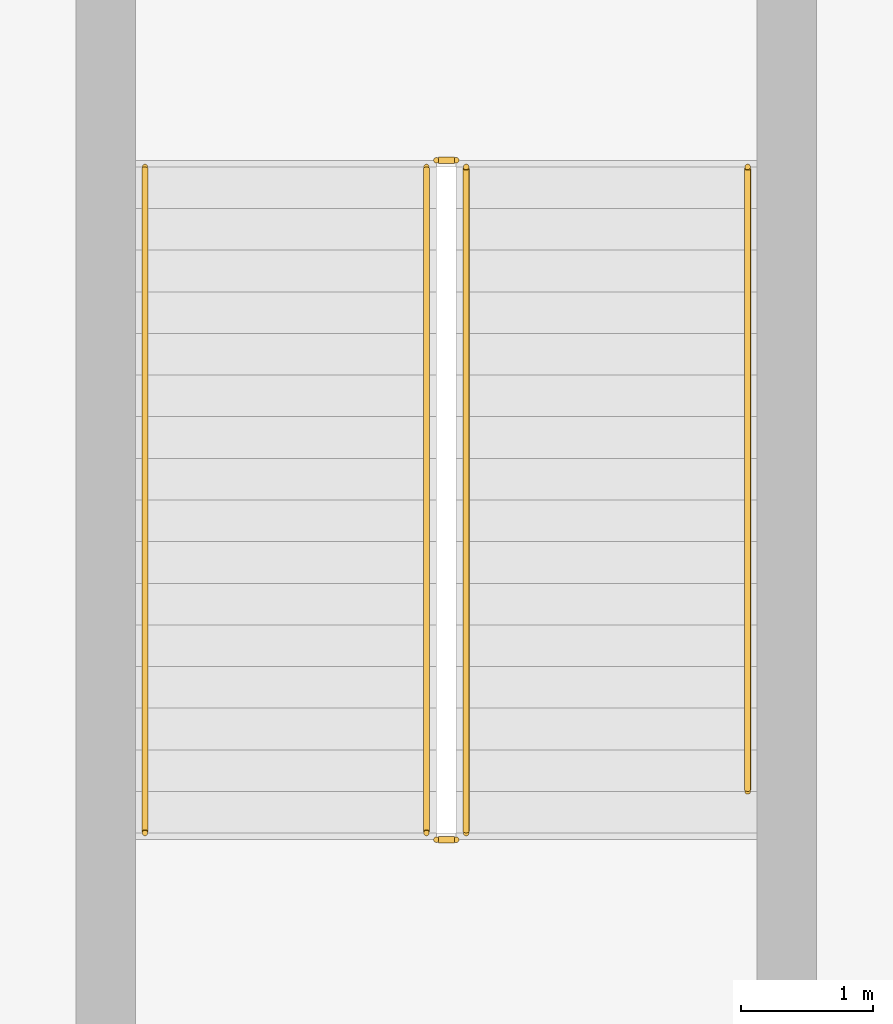
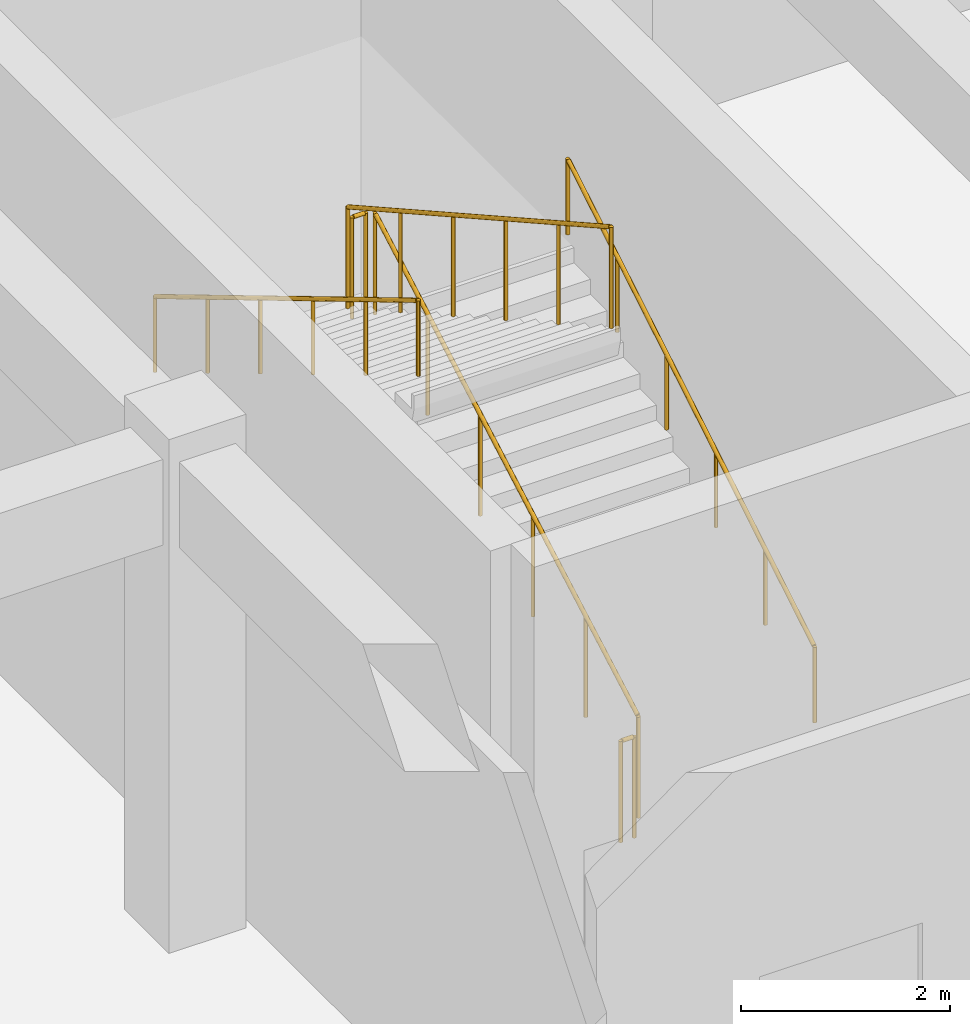
# One storey, part 74 of 87: 6 railings.
"""IFC4 building model written with IfcOpenShell, lengths in metres."""

from ifc_helpers import new_model, si_unit, direction, frame, origin, origin_2d, place, context, subcontext, project, spatial, circle, extrude, material, type_object, element, save


model = new_model("IFC4")

# Units and contexts
model_context = context("Model", 3, precision=1e-05, world=origin(), true_north=direction((0.0, 1.0)))
body_context = subcontext(model_context, "Body", "Model", "MODEL_VIEW")
ifc_project = project(units=[si_unit("LENGTHUNIT", "METRE"), si_unit("AREAUNIT", "SQUARE_METRE"), si_unit("VOLUMEUNIT", "CUBIC_METRE"), si_unit("PLANEANGLEUNIT", "RADIAN"), si_unit("MASSUNIT", "GRAM", prefix="KILO")], contexts=[model_context])

# Site, building, storey
site_placement = place(None, origin())
site = spatial("IfcSite", under=ifc_project, at=site_placement, CompositionType="ELEMENT")
building_placement = place(site_placement, origin())
building = spatial("IfcBuilding", under=site, at=building_placement, Name="Nakhvara Creek Congress Hotel", CompositionType="ELEMENT")
storey_placement = place(building_placement, origin())
storey = spatial("IfcBuildingStorey", under=building, at=storey_placement, Name="L00", CompositionType="ELEMENT", Elevation=0.0)

# Railings
ifc_material = material(Name="Brushed stainless steel 316L", Category="steel")
railing_type_1 = type_object("IfcRailingType", Name="RL-GUARD-1200", PredefinedType="GUARDRAIL", material=ifc_material)
railing_1_placement = place(storey_placement, frame((119.675048828125, 85.47998046875, 0.176513671875)))
element("IfcRailing", 1, at=railing_1_placement, inside=storey, type_object=railing_type_1, Name="L00 ST09 stair guard 1", PredefinedType="GUARDRAIL", context=body_context, shape_type="SweptSolid", body=[
    extrude(circle(Radius=0.02392578125, at=origin_2d()), frame((0.0, 0.012939453125, 1.18310546875), z_axis=(0.0, 0.872427454555, 0.488743630688), x_axis=(-1.0, 0.0, 0.0)), (0.0, 0.0, 1.0), 5.74755859375),
    extrude(circle(Radius=0.02099609375, at=origin_2d()), origin(), (0.0, 0.0, 1.0), 1.1806640625),
    extrude(circle(Radius=0.02099609375, at=origin_2d()), frame((0.0, 1.008056640625, 0.564697265625)), (0.0, 0.0, 1.0), 1.1806640625),
    extrude(circle(Radius=0.02099609375, at=origin_2d()), frame((0.0, 2.01611328125, 1.12939453125)), (0.0, 0.0, 1.0), 1.1806640625),
    extrude(circle(Radius=0.02099609375, at=origin_2d()), frame((0.0, 3.02392578125, 1.694091796875)), (0.0, 0.0, 1.0), 1.1806640625),
    extrude(circle(Radius=0.02099609375, at=origin_2d()), frame((0.0, 4.031982421875, 2.2587890625)), (0.0, 0.0, 1.0), 1.1806640625),
    extrude(circle(Radius=0.02099609375, at=origin_2d()), frame((0.0, 5.0400390625, 2.823486328125)), (0.0, 0.0, 1.0), 1.1806640625),
])
railing_2_placement = place(storey_placement, frame((119.60009765625, 90.570068359375, 3.0)))
element("IfcRailing", 2, at=railing_2_placement, inside=storey, type_object=railing_type_1, Name="L00 ST09 stair guard 2", PredefinedType="GUARDRAIL", context=body_context, shape_type="SweptSolid", body=[
    extrude(circle(Radius=0.02392578125, at=origin_2d()), frame((-0.0146484375, 0.0, 1.17578125), z_axis=(-1.0, 0.0, 0.0), x_axis=(0.0, -1.0, 0.0)), (0.0, 0.0, 1.0), 0.120849609375),
    extrude(circle(Radius=0.02099609375, at=origin_2d()), origin(), (0.0, 0.0, 1.0), 1.1806640625),
    extrude(circle(Radius=0.02099609375, at=origin_2d()), frame((-0.150146484375, 0.0, 0.0)), (0.0, 0.0, 1.0), 1.1806640625),
])
railing_3_placement = place(storey_placement, frame((119.375, 90.52001953125, 3.176513671875)))
element("IfcRailing", 3, at=railing_3_placement, inside=storey, type_object=railing_type_1, Name="L00 ST09 stair guard 3", PredefinedType="GUARDRAIL", context=body_context, shape_type="SweptSolid", body=[
    extrude(circle(Radius=0.02392578125, at=origin_2d()), frame((0.0, -0.012939453125, 1.18310546875), z_axis=(0.0, -0.872427454555, 0.488743630688), x_axis=(1.0, 0.0, 0.0)), (0.0, 0.0, 1.0), 5.74755859375),
    extrude(circle(Radius=0.02099609375, at=origin_2d()), origin(), (0.0, 0.0, 1.0), 1.1806640625),
    extrude(circle(Radius=0.02099609375, at=origin_2d()), frame((0.0, -1.008056640625, 0.564697265625)), (0.0, 0.0, 1.0), 1.1806640625),
    extrude(circle(Radius=0.02099609375, at=origin_2d()), frame((0.0, -2.01611328125, 1.12939453125)), (0.0, 0.0, 1.0), 1.1806640625),
    extrude(circle(Radius=0.02099609375, at=origin_2d()), frame((0.0, -3.02392578125, 1.694091796875)), (0.0, 0.0, 1.0), 1.1806640625),
    extrude(circle(Radius=0.02099609375, at=origin_2d()), frame((0.0, -4.031982421875, 2.2587890625)), (0.0, 0.0, 1.0), 1.1806640625),
    extrude(circle(Radius=0.02099609375, at=origin_2d()), frame((0.0, -5.0400390625, 2.823486328125)), (0.0, 0.0, 1.0), 1.1806640625),
])
railing_4_placement = place(storey_placement, frame((119.60009765625, 85.429931640625, 0.0)))
element("IfcRailing", 4, at=railing_4_placement, inside=storey, type_object=railing_type_1, Name="L00 ST09 stair guard 4", PredefinedType="GUARDRAIL", context=body_context, shape_type="SweptSolid", body=[
    extrude(circle(Radius=0.02392578125, at=origin_2d()), frame((-0.0146484375, 0.0, 1.17578125), z_axis=(-1.0, 0.0, 0.0), x_axis=(0.0, -1.0, 0.0)), (0.0, 0.0, 1.0), 0.120849609375),
    extrude(circle(Radius=0.02099609375, at=origin_2d()), origin(), (0.0, 0.0, 1.0), 1.1806640625),
    extrude(circle(Radius=0.02099609375, at=origin_2d()), frame((-0.150146484375, 0.0, 0.0)), (0.0, 0.0, 1.0), 1.1806640625),
])
railing_type_2 = type_object("IfcRailingType", Name="RL-HAND-900", PredefinedType="HANDRAIL", material=ifc_material)
railing_5_placement = place(storey_placement, frame((121.804931640625, 85.794921875, 0.35302734375)))
element("IfcRailing", 5, at=railing_5_placement, inside=storey, type_object=railing_type_2, Name="L00 ST09 stair handrail 1", PredefinedType="HANDRAIL", context=body_context, shape_type="SweptSolid", body=[
    extrude(circle(Radius=0.02392578125, at=origin_2d()), frame((0.0, 0.0126953125, 0.88330078125), z_axis=(0.0, 0.857539836654, 0.514417562445), x_axis=(-1.0, 0.0, 0.0)), (0.0, 0.0, 1.0), 5.480712890625),
    extrude(circle(Radius=0.02099609375, at=origin_2d()), origin(), (0.0, 0.0, 1.0), 0.880615234375),
    extrude(circle(Radius=0.02099609375, at=origin_2d()), frame((0.0, 0.945068359375, 0.56689453125)), (0.0, 0.0, 1.0), 0.880615234375),
    extrude(circle(Radius=0.02099609375, at=origin_2d()), frame((0.0, 1.89013671875, 1.1337890625)), (0.0, 0.0, 1.0), 0.880615234375),
    extrude(circle(Radius=0.02099609375, at=origin_2d()), frame((0.0, 2.8349609375, 1.70068359375)), (0.0, 0.0, 1.0), 0.880615234375),
    extrude(circle(Radius=0.02099609375, at=origin_2d()), frame((0.0, 3.780029296875, 2.267578125)), (0.0, 0.0, 1.0), 0.880615234375),
    extrude(circle(Radius=0.02099609375, at=origin_2d()), frame((0.0, 4.72509765625, 2.83447265625)), (0.0, 0.0, 1.0), 0.880615234375),
])
railing_6_placement = place(storey_placement, frame((117.2451171875, 90.52001953125, 3.176513671875)))
element("IfcRailing", 6, at=railing_6_placement, inside=storey, type_object=railing_type_2, Name="L00 ST09 stair handrail 2", PredefinedType="HANDRAIL", context=body_context, shape_type="SweptSolid", body=[
    extrude(circle(Radius=0.02392578125, at=origin_2d()), frame((0.0, -0.0126953125, 0.88330078125), z_axis=(0.0, -0.858471053773, 0.512862018319), x_axis=(1.0, 0.0, 0.0)), (0.0, 0.0, 1.0), 5.841552734375),
    extrude(circle(Radius=0.02099609375, at=origin_2d()), origin(), (0.0, 0.0, 1.0), 0.880615234375),
    extrude(circle(Radius=0.02099609375, at=origin_2d()), frame((0.0, -1.008056640625, 0.602294921875)), (0.0, 0.0, 1.0), 0.880615234375),
    extrude(circle(Radius=0.02099609375, at=origin_2d()), frame((0.0, -2.01611328125, 1.204345703125)), (0.0, 0.0, 1.0), 0.880615234375),
    extrude(circle(Radius=0.02099609375, at=origin_2d()), frame((0.0, -3.02392578125, 1.806640625)), (0.0, 0.0, 1.0), 0.880615234375),
    extrude(circle(Radius=0.02099609375, at=origin_2d()), frame((0.0, -4.031982421875, 2.40869140625)), (0.0, 0.0, 1.0), 0.880615234375),
    extrude(circle(Radius=0.02099609375, at=origin_2d()), frame((0.0, -5.0400390625, 3.010986328125)), (0.0, 0.0, 1.0), 0.880615234375),
])

save(model, "model.ifc")
